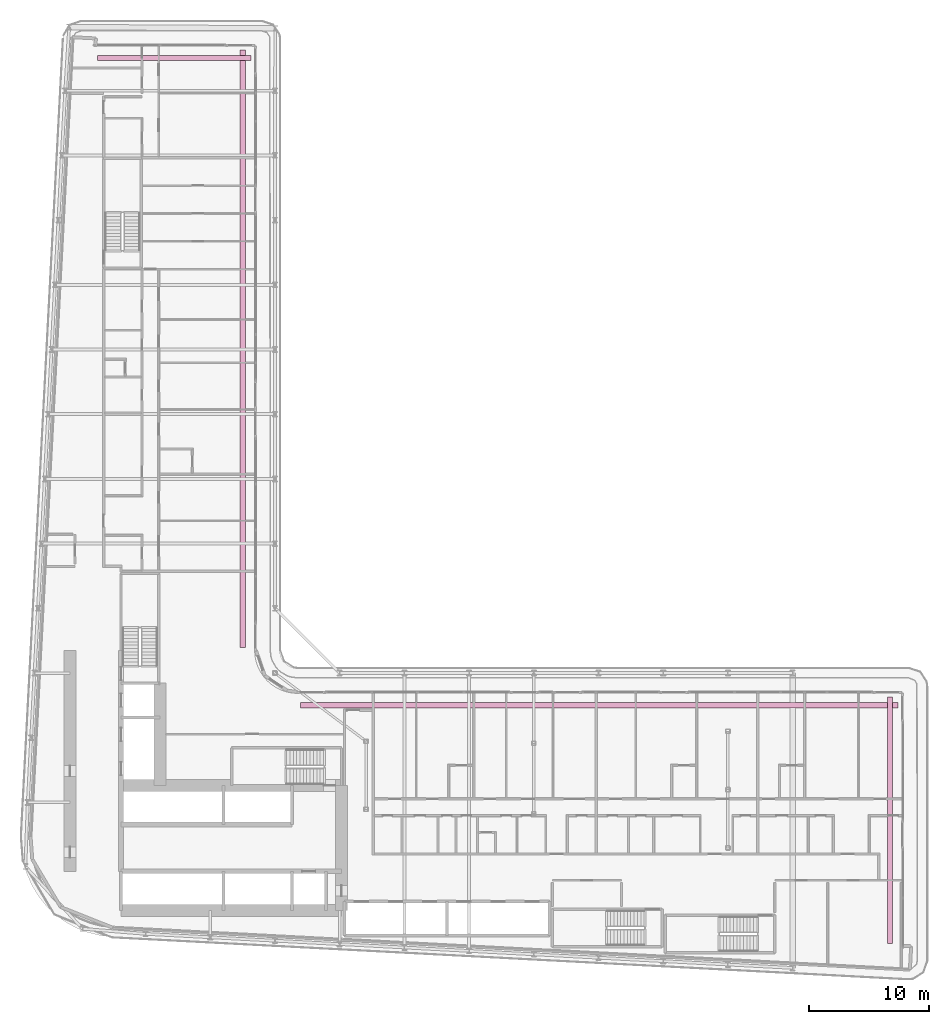
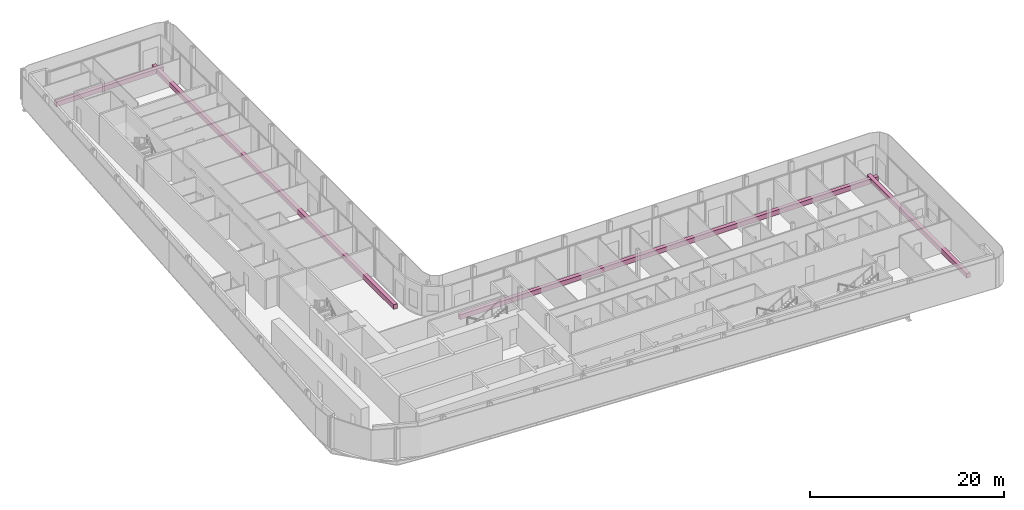
# One storey, part 29 of 29: 4 furniture elements.
"""IFC4 building model written with IfcOpenShell, lengths in metres."""

from ifc_helpers import new_model, si_unit, direction, frame, origin, origin_2d, place, context, subcontext, project, spatial, rectangle, extrude, material, type_object, element, save


model = new_model("IFC4")

# Units and contexts
model_context = context("Model", 3, precision=1e-05, world=origin(), true_north=direction((0.0, 1.0)))
body_context = subcontext(model_context, "Body", "Model", "MODEL_VIEW")
ifc_project = project(units=[si_unit("LENGTHUNIT", "METRE"), si_unit("AREAUNIT", "SQUARE_METRE"), si_unit("VOLUMEUNIT", "CUBIC_METRE"), si_unit("PLANEANGLEUNIT", "RADIAN"), si_unit("MASSUNIT", "GRAM", prefix="KILO")], contexts=[model_context])

# Site, building, storey
site_placement = place(None, origin())
site = spatial("IfcSite", under=ifc_project, at=site_placement, CompositionType="ELEMENT")
building_placement = place(site_placement, origin())
building = spatial("IfcBuilding", under=site, at=building_placement, Name="Kheshtan School and Residences Tower", CompositionType="ELEMENT")
storey_placement = place(building_placement, frame((0.0, 0.0, 65.60009765625)))
storey = spatial("IfcBuildingStorey", under=building, at=storey_placement, Name="L15", CompositionType="ELEMENT", Elevation=65.60009765625)

# Furniture
ifc_material = material(Name="Precast concrete C30/37 in terracotta finish", Category="masonry")
furniture_type = type_object("IfcFurnitureType", Name="Planter trough", AssemblyPlace="NOTDEFINED", PredefinedType="USERDEFINED", material=ifc_material)
furniture_1_placement = place(storey_placement, frame((39.196044921875, 96.925048828125, -0.000244140625), z_axis=(0.0, 0.0, 1.0), x_axis=(1.0, 0.0, 0.0)))
element("IfcFurniture", 1, at=furniture_1_placement, inside=storey, type_object=furniture_type, Name="Planter L15", ObjectType="PLANTER", PredefinedType="USERDEFINED", context=body_context, shape_type="SweptSolid", body=[
    extrude(rectangle(XDim=12.80810546875, YDim=0.449951171875, at=origin_2d()), origin(), (0.0, 0.0, 1.0), 0.60009765625),
])
for number, where, z_axis, x_axis, name in (
    (2, (44.925048828125, 72.6650390625, -0.000244140625), (0.0, 0.0, 1.0), (0.0, -1.0, 0.0), "Planter L15"),
    (3, (74.6650390625, 42.925048828125, -0.000244140625), (0.0, 0.0, 1.0), (1.0, 0.0, 0.0), "Planter L15"),
):
    element("IfcFurniture", number, at=place(storey_placement, frame(where, z_axis=z_axis, x_axis=x_axis)), inside=storey, type_object=furniture_type, Name=name, ObjectType="PLANTER", PredefinedType="USERDEFINED", context=body_context, shape_type="SweptSolid", body=[
        extrude(rectangle(XDim=49.8701171875, YDim=0.449951171875, at=origin_2d()), origin(), (0.0, 0.0, 1.0), 0.60009765625),
    ])
furniture_2_placement = place(storey_placement, frame((98.925048828125, 33.306884765625, -0.000244140625), z_axis=(0.0, 0.0, 1.0), x_axis=(0.0, -1.0, 0.0)))
element("IfcFurniture", 4, at=furniture_2_placement, inside=storey, type_object=furniture_type, Name="Planter L15", ObjectType="PLANTER", PredefinedType="USERDEFINED", context=body_context, shape_type="SweptSolid", body=[
    extrude(rectangle(XDim=20.5859375, YDim=0.449951171875, at=origin_2d()), origin(), (0.0, 0.0, 1.0), 0.60009765625),
])

save(model, "model.ifc")
